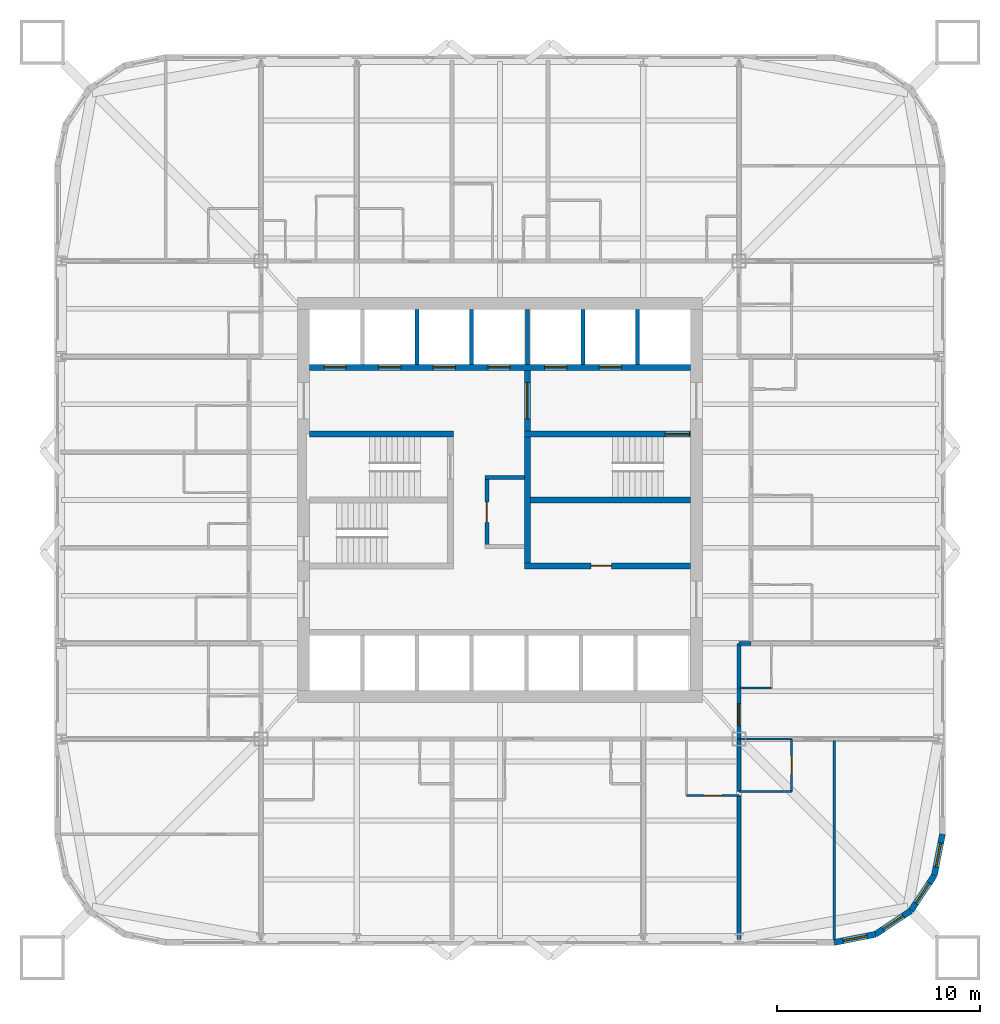
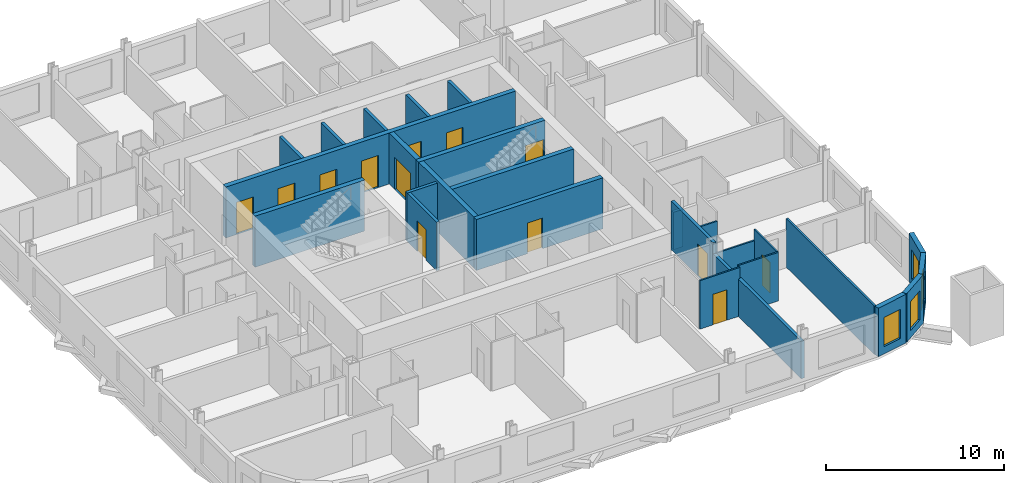
# One storey, part 5 of 10: 27 walls, 13 doors, 4 windows, 17 openings.
"""IFC4 building model written with IfcOpenShell, lengths in metres."""

from ifc_helpers import new_model, si_unit, direction, frame, frame_2d, origin, place, context, subcontext, project, spatial, rectangle, extrude, material, layer, layer_set, type_object, element, fill, save


model = new_model("IFC4")

# Units and contexts
model_context = context("Model", 3, precision=1e-05, world=origin(), true_north=direction((0.0, 1.0)))
body_context = subcontext(model_context, "Body", "Model", "MODEL_VIEW")
ifc_project = project(units=[si_unit("LENGTHUNIT", "METRE"), si_unit("AREAUNIT", "SQUARE_METRE"), si_unit("VOLUMEUNIT", "CUBIC_METRE"), si_unit("PLANEANGLEUNIT", "RADIAN"), si_unit("MASSUNIT", "GRAM", prefix="KILO")], contexts=[model_context])

# Site, building, storey
site_placement = place(None, origin())
site = spatial("IfcSite", under=ifc_project, at=site_placement, CompositionType="ELEMENT")
building_placement = place(site_placement, origin())
building = spatial("IfcBuilding", under=site, at=building_placement, Name="Turquesa Mirador Hotel Tower", CompositionType="ELEMENT")
storey_placement = place(building_placement, frame((0.0, 0.0, 53.0)))
storey = spatial("IfcBuildingStorey", under=building, at=storey_placement, Name="L13", CompositionType="ELEMENT", Elevation=53.0)

# Walls
ifc_material_1 = material(Name="Gypsum board on steel studs", Category="steel")
ifc_layer_1 = layer(ifc_material_1, 0.10009765625)
ifc_layer_set_1 = layer_set([ifc_layer_1], Name="BATHROOM WALL 100")
wall_type_1 = type_object("IfcWallType", Name="BATHROOM WALL 100", PredefinedType="PARTITIONING", material=ifc_layer_set_1)
wall_1_placement = place(storey_placement, frame((66.800048828125, 33.199951171875, 0.0), z_axis=(0.0, 0.0, 1.0), x_axis=(1.0, 0.0, 0.0)))
element("IfcWall", 1, at=wall_1_placement, inside=storey, type_object=wall_type_1, Name="Partition L13 002", PredefinedType="PARTITIONING", context=body_context, shape_type="SweptSolid", body=[
    extrude(rectangle(XDim=2.599853515625, YDim=0.10009765625, at=frame_2d((1.2998046875, 0.0))), origin(), (0.0, 0.0, 1.0), 2.572998046875),
])
wall_2_placement = place(storey_placement, frame((66.800048828125, 30.60009765625, 0.0), z_axis=(0.0, 0.0, 1.0), x_axis=(1.0, 0.0, 0.0)))
element("IfcWall", 2, at=wall_2_placement, inside=storey, type_object=wall_type_1, Name="Partition L13 008", PredefinedType="PARTITIONING", context=body_context, shape_type="SweptSolid", body=[
    extrude(rectangle(XDim=2.599853515625, YDim=0.10009765625, at=frame_2d((1.2998046875, 0.0))), origin(), (0.0, 0.0, 1.0), 3.330078125),
])

# Wall, opening, door
wall_3_placement = place(storey_placement, frame((64.199951171875, 30.39990234375, 0.0), z_axis=(0.0, 0.0, 1.0), x_axis=(1.0, 0.0, 0.0)))
wall_3 = element("IfcWall", 3, at=wall_3_placement, inside=storey, type_object=wall_type_1, Name="Partition L13 009", PredefinedType="PARTITIONING", context=body_context, shape_type="SweptSolid", body=[
    extrude(rectangle(XDim=2.60009765625, YDim=0.10009765625, at=frame_2d((1.300048828125, 0.0))), origin(), (0.0, 0.0, 1.0), 3.330078125),
])
opening_1_placement = place(wall_3_placement, frame((0.85009765625, 0.0, 0.0)))
opening_1 = element("IfcOpeningElement", 4, at=opening_1_placement, cuts=wall_3, Name="Opening D02", PredefinedType="OPENING", context=body_context, shape_type="SweptSolid", body=[
    extrude(rectangle(XDim=0.89990234375, YDim=2.10009765625, at=frame_2d((0.449951171875, 1.050048828125))), frame((0.0, 0.06005859375, 0.0), z_axis=(0.0, -1.0, 0.0), x_axis=(1.0, 0.0, 0.0)), (0.0, 0.0, 1.0), 0.1201171875),
])
ifc_material_2 = material(Name="Timber veneered door", Category="wood")
door_type_1 = type_object("IfcDoorType", Name="DOOR 900X2100 EN-SUITE", OperationType="SINGLE_SWING_RIGHT", PredefinedType="DOOR", material=ifc_material_2)
door_1_placement = place(opening_1_placement, origin())
door_1 = element("IfcDoor", 5, at=door_1_placement, inside=storey, type_object=door_type_1, Name="Door 1307B", OperationType="SINGLE_SWING_RIGHT", OverallHeight=2.10009765625, OverallWidth=0.89990234375, PredefinedType="DOOR", context=body_context, shape_type="SweptSolid", body=[
    extrude(rectangle(XDim=0.89990234375, YDim=2.10009765625, at=frame_2d((0.449951171875, 1.050048828125))), frame((0.0, 0.02490234375, 0.0), z_axis=(0.0, -1.0, 0.0), x_axis=(1.0, 0.0, 0.0)), (0.0, 0.0, 1.0), 0.050048828125),
])
fill(opening_1, door_1)

# Wall
wall_4_placement = place(storey_placement, frame((66.800048828125, 35.719970703125, 0.0), z_axis=(0.0, 0.0, 1.0), x_axis=(1.0, 0.0, 0.0)))
element("IfcWall", 6, at=wall_4_placement, inside=storey, type_object=wall_type_1, Name="Partition L13 021", PredefinedType="PARTITIONING", context=body_context, shape_type="SweptSolid", body=[
    extrude(rectangle(XDim=1.599853515625, YDim=0.10009765625, at=frame_2d((0.7998046875, 0.0))), origin(), (0.0, 0.0, 1.0), 2.722900390625),
])

# Wall, opening, door
wall_5_placement = place(storey_placement, frame((69.39990234375, 30.60009765625, 0.0), z_axis=(0.0, 0.0, 1.0), x_axis=(0.0, 1.0, 0.0)))
wall_5 = element("IfcWall", 7, at=wall_5_placement, inside=storey, type_object=wall_type_1, Name="Partition L13 081", PredefinedType="PARTITIONING", context=body_context, shape_type="SweptSolid", body=[
    extrude(rectangle(XDim=2.599853515625, YDim=0.10009765625, at=frame_2d((1.2998046875, 0.0))), origin(), (0.0, 0.0, 1.0), 3.330078125),
])
opening_2_placement = place(wall_5_placement, frame((0.85009765625, 0.0, 0.0)))
opening_2 = element("IfcOpeningElement", 8, at=opening_2_placement, cuts=wall_5, Name="Opening D02", PredefinedType="OPENING", context=body_context, shape_type="SweptSolid", body=[
    extrude(rectangle(XDim=0.89990234375, YDim=2.10009765625, at=frame_2d((0.449951171875, 1.050048828125))), frame((0.0, 0.06005859375, 0.0), z_axis=(0.0, -1.0, 0.0), x_axis=(1.0, 0.0, 0.0)), (0.0, 0.0, 1.0), 0.1201171875),
])
door_2_placement = place(opening_2_placement, origin())
door_2 = element("IfcDoor", 9, at=door_2_placement, inside=storey, type_object=door_type_1, Name="Door 1316B", OperationType="SINGLE_SWING_RIGHT", OverallHeight=2.10009765625, OverallWidth=0.89990234375, PredefinedType="DOOR", context=body_context, shape_type="SweptSolid", body=[
    extrude(rectangle(XDim=0.89990234375, YDim=2.10009765625, at=frame_2d((0.449951171875, 1.050048828125))), frame((0.0, 0.02490234375, 0.0), z_axis=(0.0, -1.0, 0.0), x_axis=(1.0, 0.0, 0.0)), (0.0, 0.0, 1.0), 0.050048828125),
])
fill(opening_2, door_2)

# Wall, openings, doors
ifc_material_3 = material(Name="Concrete C50/60", Category="concrete")
ifc_layer_2 = layer(ifc_material_3, 0.300048828125)
ifc_layer_set_2 = layer_set([ifc_layer_2], Name="CORE INNER WALL 300")
wall_type_2 = type_object("IfcWallType", Name="CORE INNER WALL 300", PredefinedType="SHEAR", material=ifc_layer_set_2)
wall_6_placement = place(storey_placement, frame((45.60009765625, 51.550048828125, 0.0), z_axis=(0.0, 0.0, 1.0), x_axis=(1.0, 0.0, 0.0)))
wall_6 = element("IfcWall", 10, at=wall_6_placement, inside=storey, type_object=wall_type_2, Name="Core wall NL", PredefinedType="SHEAR", context=body_context, shape_type="SweptSolid", body=[
    extrude(rectangle(XDim=18.7998046875, YDim=0.300048828125, at=frame_2d((9.39990234375, 0.0))), origin(), (0.0, 0.0, 1.0), 3.5),
])
opening_3_placement = place(wall_6_placement, frame((0.699951171875, 0.0, 0.0)))
opening_3 = element("IfcOpeningElement", 11, at=opening_3_placement, cuts=wall_6, Name="Opening LD", PredefinedType="OPENING", context=body_context, shape_type="SweptSolid", body=[
    extrude(rectangle(XDim=1.10009765625, YDim=2.199951171875, at=frame_2d((0.550048828125, 1.10009765625))), frame((0.0, 0.159912109375, 0.0), z_axis=(0.0, -1.0, 0.0), x_axis=(1.0, 0.0, 0.0)), (0.0, 0.0, 1.0), 0.320068359375),
])
opening_4_placement = place(wall_6_placement, frame((3.39990234375, 0.0, 0.0)))
opening_4 = element("IfcOpeningElement", 12, at=opening_4_placement, cuts=wall_6, Name="Opening LD", PredefinedType="OPENING", context=body_context, shape_type="SweptSolid", body=[
    extrude(rectangle(XDim=1.10009765625, YDim=2.199951171875, at=frame_2d((0.550048828125, 1.10009765625))), frame((0.0, 0.159912109375, 0.0), z_axis=(0.0, -1.0, 0.0), x_axis=(1.0, 0.0, 0.0)), (0.0, 0.0, 1.0), 0.320068359375),
])
opening_5_placement = place(wall_6_placement, frame((6.10009765625, 0.0, 0.0)))
opening_5 = element("IfcOpeningElement", 13, at=opening_5_placement, cuts=wall_6, Name="Opening LD", PredefinedType="OPENING", context=body_context, shape_type="SweptSolid", body=[
    extrude(rectangle(XDim=1.10009765625, YDim=2.199951171875, at=frame_2d((0.550048828125, 1.10009765625))), frame((0.0, 0.159912109375, 0.0), z_axis=(0.0, -1.0, 0.0), x_axis=(1.0, 0.0, 0.0)), (0.0, 0.0, 1.0), 0.320068359375),
])
opening_6_placement = place(wall_6_placement, frame((8.800048828125, 0.0, 0.0)))
opening_6 = element("IfcOpeningElement", 14, at=opening_6_placement, cuts=wall_6, Name="Opening LD", PredefinedType="OPENING", context=body_context, shape_type="SweptSolid", body=[
    extrude(rectangle(XDim=1.10009765625, YDim=2.199951171875, at=frame_2d((0.550048828125, 1.10009765625))), frame((0.0, 0.159912109375, 0.0), z_axis=(0.0, -1.0, 0.0), x_axis=(1.0, 0.0, 0.0)), (0.0, 0.0, 1.0), 0.320068359375),
])
opening_7_placement = place(wall_6_placement, frame((11.60009765625, 0.0, 0.0)))
opening_7 = element("IfcOpeningElement", 15, at=opening_7_placement, cuts=wall_6, Name="Opening LD", PredefinedType="OPENING", context=body_context, shape_type="SweptSolid", body=[
    extrude(rectangle(XDim=1.10009765625, YDim=2.199951171875, at=frame_2d((0.550048828125, 1.10009765625))), frame((0.0, 0.159912109375, 0.0), z_axis=(0.0, -1.0, 0.0), x_axis=(1.0, 0.0, 0.0)), (0.0, 0.0, 1.0), 0.320068359375),
])
opening_8_placement = place(wall_6_placement, frame((14.300048828125, 0.0, 0.0)))
opening_8 = element("IfcOpeningElement", 16, at=opening_8_placement, cuts=wall_6, Name="Opening LD", PredefinedType="OPENING", context=body_context, shape_type="SweptSolid", body=[
    extrude(rectangle(XDim=1.10009765625, YDim=2.199951171875, at=frame_2d((0.550048828125, 1.10009765625))), frame((0.0, 0.159912109375, 0.0), z_axis=(0.0, -1.0, 0.0), x_axis=(1.0, 0.0, 0.0)), (0.0, 0.0, 1.0), 0.320068359375),
])
ifc_material_4 = material(Name="Stainless steel lift landing door", Category="steel")
door_type_2 = type_object("IfcDoorType", Name="LIFT LANDING DOOR 1100X2200", OperationType="SLIDING_TO_LEFT", PredefinedType="DOOR", material=ifc_material_4)
door_3_placement = place(opening_3_placement, origin())
door_3 = element("IfcDoor", 17, at=door_3_placement, inside=storey, type_object=door_type_2, Name="Lift A1 landing door", OperationType="SLIDING_TO_LEFT", OverallHeight=2.199951171875, OverallWidth=1.10009765625, PredefinedType="DOOR", context=body_context, shape_type="SweptSolid", body=[
    extrude(rectangle(XDim=1.10009765625, YDim=2.199951171875, at=frame_2d((0.550048828125, 1.10009765625))), frame((0.0, 0.02490234375, 0.0), z_axis=(0.0, -1.0, 0.0), x_axis=(1.0, 0.0, 0.0)), (0.0, 0.0, 1.0), 0.050048828125),
])
fill(opening_3, door_3)
door_4_placement = place(opening_4_placement, origin())
door_4 = element("IfcDoor", 18, at=door_4_placement, inside=storey, type_object=door_type_2, Name="Lift A2 landing door", OperationType="SLIDING_TO_LEFT", OverallHeight=2.199951171875, OverallWidth=1.10009765625, PredefinedType="DOOR", context=body_context, shape_type="SweptSolid", body=[
    extrude(rectangle(XDim=1.10009765625, YDim=2.199951171875, at=frame_2d((0.550048828125, 1.10009765625))), frame((0.0, 0.02490234375, 0.0), z_axis=(0.0, -1.0, 0.0), x_axis=(1.0, 0.0, 0.0)), (0.0, 0.0, 1.0), 0.050048828125),
])
fill(opening_4, door_4)
door_5_placement = place(opening_5_placement, origin())
door_5 = element("IfcDoor", 19, at=door_5_placement, inside=storey, type_object=door_type_2, Name="Lift A3 landing door", OperationType="SLIDING_TO_LEFT", OverallHeight=2.199951171875, OverallWidth=1.10009765625, PredefinedType="DOOR", context=body_context, shape_type="SweptSolid", body=[
    extrude(rectangle(XDim=1.10009765625, YDim=2.199951171875, at=frame_2d((0.550048828125, 1.10009765625))), frame((0.0, 0.02490234375, 0.0), z_axis=(0.0, -1.0, 0.0), x_axis=(1.0, 0.0, 0.0)), (0.0, 0.0, 1.0), 0.050048828125),
])
fill(opening_5, door_5)
door_6_placement = place(opening_6_placement, origin())
door_6 = element("IfcDoor", 20, at=door_6_placement, inside=storey, type_object=door_type_2, Name="Lift A4 landing door", OperationType="SLIDING_TO_LEFT", OverallHeight=2.199951171875, OverallWidth=1.10009765625, PredefinedType="DOOR", context=body_context, shape_type="SweptSolid", body=[
    extrude(rectangle(XDim=1.10009765625, YDim=2.199951171875, at=frame_2d((0.550048828125, 1.10009765625))), frame((0.0, 0.02490234375, 0.0), z_axis=(0.0, -1.0, 0.0), x_axis=(1.0, 0.0, 0.0)), (0.0, 0.0, 1.0), 0.050048828125),
])
fill(opening_6, door_6)
door_7_placement = place(opening_7_placement, origin())
door_7 = element("IfcDoor", 21, at=door_7_placement, inside=storey, type_object=door_type_2, Name="Lift S1 landing door", OperationType="SLIDING_TO_LEFT", OverallHeight=2.199951171875, OverallWidth=1.10009765625, PredefinedType="DOOR", context=body_context, shape_type="SweptSolid", body=[
    extrude(rectangle(XDim=1.10009765625, YDim=2.199951171875, at=frame_2d((0.550048828125, 1.10009765625))), frame((0.0, 0.02490234375, 0.0), z_axis=(0.0, -1.0, 0.0), x_axis=(1.0, 0.0, 0.0)), (0.0, 0.0, 1.0), 0.050048828125),
])
fill(opening_7, door_7)
door_8_placement = place(opening_8_placement, origin())
door_8 = element("IfcDoor", 22, at=door_8_placement, inside=storey, type_object=door_type_2, Name="Lift S2 landing door", OperationType="SLIDING_TO_LEFT", OverallHeight=2.199951171875, OverallWidth=1.10009765625, PredefinedType="DOOR", context=body_context, shape_type="SweptSolid", body=[
    extrude(rectangle(XDim=1.10009765625, YDim=2.199951171875, at=frame_2d((0.550048828125, 1.10009765625))), frame((0.0, 0.02490234375, 0.0), z_axis=(0.0, -1.0, 0.0), x_axis=(1.0, 0.0, 0.0)), (0.0, 0.0, 1.0), 0.050048828125),
])
fill(opening_8, door_8)

# Wall
wall_7_placement = place(storey_placement, frame((45.60009765625, 48.25, 0.0), z_axis=(0.0, 0.0, 1.0), x_axis=(1.0, 0.0, 0.0)))
element("IfcWall", 23, at=wall_7_placement, inside=storey, type_object=wall_type_2, Name="Core wall MN-W", PredefinedType="SHEAR", context=body_context, shape_type="SweptSolid", body=[
    extrude(rectangle(XDim=7.099853515625, YDim=0.300048828125, at=frame_2d((3.5498046875, 0.0))), origin(), (0.0, 0.0, 1.0), 3.5),
])

# Wall, opening, door
wall_8_placement = place(storey_placement, frame((56.199951171875, 48.25, 0.0), z_axis=(0.0, 0.0, 1.0), x_axis=(1.0, 0.0, 0.0)))
wall_8 = element("IfcWall", 24, at=wall_8_placement, inside=storey, type_object=wall_type_2, Name="Core wall MN-E", PredefinedType="SHEAR", context=body_context, shape_type="SweptSolid", body=[
    extrude(rectangle(XDim=8.199951171875, YDim=0.300048828125, at=frame_2d((4.10009765625, 0.0))), origin(), (0.0, 0.0, 1.0), 3.5),
])
opening_9_placement = place(wall_8_placement, frame((6.949951171875, 0.0, 0.0)))
opening_9 = element("IfcOpeningElement", 25, at=opening_9_placement, cuts=wall_8, Name="Opening D03", PredefinedType="OPENING", context=body_context, shape_type="SweptSolid", body=[
    extrude(rectangle(XDim=1.199951171875, YDim=2.199951171875, at=frame_2d((0.60009765625, 1.10009765625))), frame((0.0, 0.159912109375, 0.0), z_axis=(0.0, -1.0, 0.0), x_axis=(1.0, 0.0, 0.0)), (0.0, 0.0, 1.0), 0.320068359375),
])
ifc_material_5 = material(Name="Steel fire door", Category="steel")
door_type_3 = type_object("IfcDoorType", Name="DOOR 1200X2200 STAIR", OperationType="SINGLE_SWING_LEFT", PredefinedType="DOOR", material=ifc_material_5)
door_9_placement = place(opening_9_placement, origin())
door_9 = element("IfcDoor", 26, at=door_9_placement, inside=storey, type_object=door_type_3, Name="Stair ST3 door", OperationType="SINGLE_SWING_LEFT", OverallHeight=2.199951171875, OverallWidth=1.199951171875, PredefinedType="DOOR", context=body_context, shape_type="SweptSolid", body=[
    extrude(rectangle(XDim=1.199951171875, YDim=2.199951171875, at=frame_2d((0.60009765625, 1.10009765625))), frame((0.0, 0.02490234375, 0.0), z_axis=(0.0, -1.0, 0.0), x_axis=(1.0, 0.0, 0.0)), (0.0, 0.0, 1.0), 0.050048828125),
])
fill(opening_9, door_9)

wall_9_placement = place(storey_placement, frame((56.199951171875, 41.75, 0.0), z_axis=(0.0, 0.0, 1.0), x_axis=(1.0, 0.0, 0.0)))
wall_9 = element("IfcWall", 27, at=wall_9_placement, inside=storey, type_object=wall_type_2, Name="Core wall MS-E", PredefinedType="SHEAR", context=body_context, shape_type="SweptSolid", body=[
    extrude(rectangle(XDim=8.199951171875, YDim=0.300048828125, at=frame_2d((4.10009765625, 0.0))), origin(), (0.0, 0.0, 1.0), 3.5),
])
opening_10_placement = place(wall_9_placement, frame((3.300048828125, 0.0, 0.0)))
opening_10 = element("IfcOpeningElement", 28, at=opening_10_placement, cuts=wall_9, Name="Opening D05", PredefinedType="OPENING", context=body_context, shape_type="SweptSolid", body=[
    extrude(rectangle(XDim=1.0, YDim=2.10009765625, at=frame_2d((0.5, 1.050048828125))), frame((0.0, 0.159912109375, 0.0), z_axis=(0.0, -1.0, 0.0), x_axis=(1.0, 0.0, 0.0)), (0.0, 0.0, 1.0), 0.320068359375),
])
ifc_material_6 = material(Name="Steel fire door", Category="steel")
door_type_4 = type_object("IfcDoorType", Name="DOOR 1000X2100 SERVICE", OperationType="SINGLE_SWING_LEFT", PredefinedType="DOOR", material=ifc_material_6)
door_10_placement = place(opening_10_placement, origin())
door_10 = element("IfcDoor", 29, at=door_10_placement, inside=storey, type_object=door_type_4, Name="Housekeeping room door", OperationType="SINGLE_SWING_LEFT", OverallHeight=2.10009765625, OverallWidth=1.0, PredefinedType="DOOR", context=body_context, shape_type="SweptSolid", body=[
    extrude(rectangle(XDim=1.0, YDim=2.10009765625, at=frame_2d((0.5, 1.050048828125))), frame((0.0, 0.02490234375, 0.0), z_axis=(0.0, -1.0, 0.0), x_axis=(1.0, 0.0, 0.0)), (0.0, 0.0, 1.0), 0.050048828125),
])
fill(opening_10, door_10)

wall_10_placement = place(storey_placement, frame((56.35009765625, 41.89990234375, 0.0), z_axis=(0.0, 0.0, 1.0), x_axis=(0.0, 1.0, 0.0)))
wall_10 = element("IfcWall", 30, at=wall_10_placement, inside=storey, type_object=wall_type_2, Name="Core wall PE", PredefinedType="SHEAR", context=body_context, shape_type="SweptSolid", body=[
    extrude(rectangle(XDim=9.5, YDim=0.300048828125, at=frame_2d((4.75, 0.0))), origin(), (0.0, 0.0, 1.0), 3.5),
])
opening_11_placement = place(wall_10_placement, frame((7.10009765625, 0.0, 0.0)))
opening_11 = element("IfcOpeningElement", 31, at=opening_11_placement, cuts=wall_10, Name="Opening D04", PredefinedType="OPENING", context=body_context, shape_type="SweptSolid", body=[
    extrude(rectangle(XDim=1.800048828125, YDim=2.199951171875, at=frame_2d((0.89990234375, 1.10009765625))), frame((0.0, 0.159912109375, 0.0), z_axis=(0.0, -1.0, 0.0), x_axis=(1.0, 0.0, 0.0)), (0.0, 0.0, 1.0), 0.320068359375),
])
ifc_material_7 = material(Name="Steel fire door pair", Category="steel")
door_type_5 = type_object("IfcDoorType", Name="DOOR 1800X2200 PAIR", OperationType="DOUBLE_DOOR_SINGLE_SWING", PredefinedType="DOOR", material=ifc_material_7)
door_11_placement = place(opening_11_placement, origin())
door_11 = element("IfcDoor", 32, at=door_11_placement, inside=storey, type_object=door_type_5, Name="Firefighting lobby inner door", OperationType="DOUBLE_DOOR_SINGLE_SWING", OverallHeight=2.199951171875, OverallWidth=1.800048828125, PredefinedType="DOOR", context=body_context, shape_type="SweptSolid", body=[
    extrude(rectangle(XDim=1.800048828125, YDim=2.199951171875, at=frame_2d((0.89990234375, 1.10009765625))), frame((0.0, 0.02490234375, 0.0), z_axis=(0.0, -1.0, 0.0), x_axis=(1.0, 0.0, 0.0)), (0.0, 0.0, 1.0), 0.050048828125),
])
fill(opening_11, door_11)

# Walls
wall_11_placement = place(storey_placement, frame((56.5, 45.0, 0.0), z_axis=(0.0, 0.0, 1.0), x_axis=(1.0, 0.0, 0.0)))
element("IfcWall", 33, at=wall_11_placement, inside=storey, type_object=wall_type_2, Name="Core wall M0-E", PredefinedType="SHEAR", context=body_context, shape_type="SweptSolid", body=[
    extrude(rectangle(XDim=7.89990234375, YDim=0.300048828125, at=frame_2d((3.949951171875, 0.0))), origin(), (0.0, 0.0, 1.0), 3.5),
])
ifc_material_8 = material(Name="Fire-rated gypsum board on steel studs", Category="steel")
ifc_layer_3 = layer(ifc_material_8, 0.199951171875)
ifc_layer_set_3 = layer_set([ifc_layer_3], Name="CORRIDOR WALL 200")
wall_type_3 = type_object("IfcWallType", Name="CORRIDOR WALL 200", PredefinedType="PARTITIONING", material=ifc_layer_set_3)
wall_12_placement = place(storey_placement, frame((66.800048828125, 37.919921875, 0.0), z_axis=(0.0, 0.0, 1.0), x_axis=(1.0, 0.0, 0.0)))
element("IfcWall", 34, at=wall_12_placement, inside=storey, type_object=wall_type_3, Name="Partition L13 018", PredefinedType="PARTITIONING", context=body_context, shape_type="SweptSolid", body=[
    extrude(rectangle(XDim=0.599853515625, YDim=0.199951171875, at=frame_2d((0.2998046875, 0.0))), origin(), (0.0, 0.0, 1.0), 2.572998046875),
])

# Wall, opening, door
wall_13_placement = place(storey_placement, frame((66.800048828125, 33.199951171875, 0.0), z_axis=(0.0, 0.0, 1.0), x_axis=(0.0, 1.0, 0.0)))
wall_13 = element("IfcWall", 35, at=wall_13_placement, inside=storey, type_object=wall_type_3, Name="Partition L13 074", PredefinedType="PARTITIONING", context=body_context, shape_type="SweptSolid", body=[
    extrude(rectangle(XDim=4.719970703125, YDim=0.199951171875, at=frame_2d((2.35986328125, 0.0))), origin(), (0.0, 0.0, 1.0), 3.330078125),
])
opening_12_placement = place(wall_13_placement, frame((0.64990234375, 0.0, 0.0)))
opening_12 = element("IfcOpeningElement", 36, at=opening_12_placement, cuts=wall_13, Name="Opening D15", PredefinedType="OPENING", context=body_context, shape_type="SweptSolid", body=[
    extrude(rectangle(XDim=1.10009765625, YDim=2.199951171875, at=frame_2d((0.550048828125, 1.10009765625))), frame((0.0, 0.10986328125, 0.0), z_axis=(0.0, -1.0, 0.0), x_axis=(1.0, 0.0, 0.0)), (0.0, 0.0, 1.0), 0.219970703125),
])
ifc_material_9 = material(Name="Timber veneered fire door", Category="wood")
door_type_6 = type_object("IfcDoorType", Name="DOOR 1100X2200 SUITE ENTRY", OperationType="SINGLE_SWING_LEFT", PredefinedType="DOOR", material=ifc_material_9)
door_12_placement = place(opening_12_placement, origin())
door_12 = element("IfcDoor", 37, at=door_12_placement, inside=storey, type_object=door_type_6, Name="Door 1316", OperationType="SINGLE_SWING_LEFT", OverallHeight=2.199951171875, OverallWidth=1.10009765625, PredefinedType="DOOR", context=body_context, shape_type="SweptSolid", body=[
    extrude(rectangle(XDim=1.10009765625, YDim=2.199951171875, at=frame_2d((0.550048828125, 1.10009765625))), frame((0.0, 0.02490234375, 0.0), z_axis=(0.0, -1.0, 0.0), x_axis=(1.0, 0.0, 0.0)), (0.0, 0.0, 1.0), 0.050048828125),
])
fill(opening_12, door_12)

# Wall, opening, window
ifc_material_10 = material(Name="Limestone cladding on concrete block", Category="masonry")
ifc_layer_4 = layer(ifc_material_10, 0.300048828125)
ifc_layer_set_4 = layer_set([ifc_layer_4], Name="FACADE WALL 300 STONE SCREEN")
wall_type_4 = type_object("IfcWallType", Name="FACADE WALL 300 STONE SCREEN", PredefinedType="SOLIDWALL", material=ifc_layer_set_4)
wall_14_placement = place(storey_placement, frame((71.5, 23.14990234375, 0.0), z_axis=(0.0, 0.0, 1.0), x_axis=(0.980787050784, 0.195081421501, 0.0)))
wall_14 = element("IfcWall", 38, at=wall_14_placement, inside=storey, type_object=wall_type_4, Name="Facade wall L13 00", PredefinedType="SOLIDWALL", context=body_context, shape_type="SweptSolid", body=[
    extrude(rectangle(XDim=2.08740234375, YDim=0.300048828125, at=frame_2d((1.043701171875, 0.0))), origin(), (0.0, 0.0, 1.0), 3.330078125),
])
opening_13_placement = place(wall_14_placement, frame((0.443603515625, 0.0, 0.5)))
opening_13 = element("IfcOpeningElement", 39, at=opening_13_placement, cuts=wall_14, Name="Opening WN4", PredefinedType="OPENING", context=body_context, shape_type="SweptSolid", body=[
    extrude(rectangle(XDim=1.199951171875, YDim=2.0, at=frame_2d((0.60009765625, 1.0))), frame((0.0, 0.159912109375, 0.0), z_axis=(0.0, -1.0, 0.0), x_axis=(1.0, 0.0, 0.0)), (0.0, 0.0, 1.0), 0.320068359375),
])
ifc_material_11 = material(Name="Ceramic-fritted laminated glass", Category="glass")
window_type = type_object("IfcWindowType", Name="FRITTED CORNER WINDOW 1200X2000", PartitioningType="DOUBLE_PANEL_HORIZONTAL", PredefinedType="WINDOW", material=ifc_material_11)
window_1_placement = place(opening_13_placement, origin())
window_1 = element("IfcWindow", 40, at=window_1_placement, inside=storey, type_object=window_type, Name="Window L13", OverallHeight=2.0, OverallWidth=1.199951171875, PartitioningType="SINGLE_PANEL", PredefinedType="WINDOW", context=body_context, shape_type="SweptSolid", body=[
    extrude(rectangle(XDim=1.199951171875, YDim=2.0, at=frame_2d((0.60009765625, 1.0))), frame((0.0, 0.030029296875, 0.0), z_axis=(0.0, -1.0, 0.0), x_axis=(1.0, 0.0, 0.0)), (0.0, 0.0, 1.0), 0.06005859375),
])
fill(opening_13, window_1)

wall_15_placement = place(storey_placement, frame((73.54736328125, 23.55712890625, 0.0), z_axis=(0.0, 0.0, 1.0), x_axis=(0.831420010345, 0.555644460423, 0.0)))
wall_15 = element("IfcWall", 41, at=wall_15_placement, inside=storey, type_object=wall_type_4, Name="Facade wall L13 01", PredefinedType="SOLIDWALL", context=body_context, shape_type="SweptSolid", body=[
    extrude(rectangle(XDim=2.08740234375, YDim=0.300048828125, at=frame_2d((1.043701171875, 0.0))), origin(), (0.0, 0.0, 1.0), 3.330078125),
])
opening_14_placement = place(wall_15_placement, frame((0.443603515625, 0.0, 0.5)))
opening_14 = element("IfcOpeningElement", 42, at=opening_14_placement, cuts=wall_15, Name="Opening WN4", PredefinedType="OPENING", context=body_context, shape_type="SweptSolid", body=[
    extrude(rectangle(XDim=1.199951171875, YDim=2.0, at=frame_2d((0.60009765625, 1.0))), frame((0.0, 0.159912109375, 0.0), z_axis=(0.0, -1.0, 0.0), x_axis=(1.0, 0.0, 0.0)), (0.0, 0.0, 1.0), 0.320068359375),
])
window_2_placement = place(opening_14_placement, origin())
window_2 = element("IfcWindow", 43, at=window_2_placement, inside=storey, type_object=window_type, Name="Window L13", OverallHeight=2.0, OverallWidth=1.199951171875, PartitioningType="SINGLE_PANEL", PredefinedType="WINDOW", context=body_context, shape_type="SweptSolid", body=[
    extrude(rectangle(XDim=1.199951171875, YDim=2.0, at=frame_2d((0.60009765625, 1.0))), frame((0.0, 0.030029296875, 0.0), z_axis=(0.0, -1.0, 0.0), x_axis=(1.0, 0.0, 0.0)), (0.0, 0.0, 1.0), 0.06005859375),
])
fill(opening_14, window_2)

wall_16_placement = place(storey_placement, frame((75.282958984375, 24.717041015625, 0.0), z_axis=(0.0, 0.0, 1.0), x_axis=(0.555644460423, 0.831420010345, 0.0)))
wall_16 = element("IfcWall", 44, at=wall_16_placement, inside=storey, type_object=wall_type_4, Name="Facade wall L13 02", PredefinedType="SOLIDWALL", context=body_context, shape_type="SweptSolid", body=[
    extrude(rectangle(XDim=2.08740234375, YDim=0.300048828125, at=frame_2d((1.043701171875, 0.0))), origin(), (0.0, 0.0, 1.0), 3.330078125),
])
opening_15_placement = place(wall_16_placement, frame((0.443603515625, 0.0, 0.5)))
opening_15 = element("IfcOpeningElement", 45, at=opening_15_placement, cuts=wall_16, Name="Opening WN4", PredefinedType="OPENING", context=body_context, shape_type="SweptSolid", body=[
    extrude(rectangle(XDim=1.199951171875, YDim=2.0, at=frame_2d((0.60009765625, 1.0))), frame((0.0, 0.159912109375, 0.0), z_axis=(0.0, -1.0, 0.0), x_axis=(1.0, 0.0, 0.0)), (0.0, 0.0, 1.0), 0.320068359375),
])
window_3_placement = place(opening_15_placement, origin())
window_3 = element("IfcWindow", 46, at=window_3_placement, inside=storey, type_object=window_type, Name="Window L13", OverallHeight=2.0, OverallWidth=1.199951171875, PartitioningType="SINGLE_PANEL", PredefinedType="WINDOW", context=body_context, shape_type="SweptSolid", body=[
    extrude(rectangle(XDim=1.199951171875, YDim=2.0, at=frame_2d((0.60009765625, 1.0))), frame((0.0, 0.030029296875, 0.0), z_axis=(0.0, -1.0, 0.0), x_axis=(1.0, 0.0, 0.0)), (0.0, 0.0, 1.0), 0.06005859375),
])
fill(opening_15, window_3)

wall_17_placement = place(storey_placement, frame((76.44287109375, 26.45263671875, 0.0), z_axis=(0.0, 0.0, 1.0), x_axis=(0.195081421501, 0.980787050784, 0.0)))
wall_17 = element("IfcWall", 47, at=wall_17_placement, inside=storey, type_object=wall_type_4, Name="Facade wall L13 03", PredefinedType="SOLIDWALL", context=body_context, shape_type="SweptSolid", body=[
    extrude(rectangle(XDim=2.08740234375, YDim=0.300048828125, at=frame_2d((1.043701171875, 0.0))), origin(), (0.0, 0.0, 1.0), 3.330078125),
])
opening_16_placement = place(wall_17_placement, frame((0.443603515625, 0.0, 0.5)))
opening_16 = element("IfcOpeningElement", 48, at=opening_16_placement, cuts=wall_17, Name="Opening WN4", PredefinedType="OPENING", context=body_context, shape_type="SweptSolid", body=[
    extrude(rectangle(XDim=1.199951171875, YDim=2.0, at=frame_2d((0.60009765625, 1.0))), frame((0.0, 0.159912109375, 0.0), z_axis=(0.0, -1.0, 0.0), x_axis=(1.0, 0.0, 0.0)), (0.0, 0.0, 1.0), 0.320068359375),
])
window_4_placement = place(opening_16_placement, origin())
window_4 = element("IfcWindow", 49, at=window_4_placement, inside=storey, type_object=window_type, Name="Window L13", OverallHeight=2.0, OverallWidth=1.199951171875, PartitioningType="SINGLE_PANEL", PredefinedType="WINDOW", context=body_context, shape_type="SweptSolid", body=[
    extrude(rectangle(XDim=1.199951171875, YDim=2.0, at=frame_2d((0.60009765625, 1.0))), frame((0.0, 0.030029296875, 0.0), z_axis=(0.0, -1.0, 0.0), x_axis=(1.0, 0.0, 0.0)), (0.0, 0.0, 1.0), 0.06005859375),
])
fill(opening_16, window_4)

# Wall, opening, door
ifc_material_12 = material(Name="Fire-rated gypsum board on steel studs", Category="steel")
ifc_layer_5 = layer(ifc_material_12, 0.199951171875)
ifc_layer_set_5 = layer_set([ifc_layer_5], Name="FIRE PARTITION 200")
wall_type_5 = type_object("IfcWallType", Name="FIRE PARTITION 200", PredefinedType="PARTITIONING", material=ifc_layer_set_5)
wall_18_placement = place(storey_placement, frame((54.35009765625, 42.699951171875, 0.0), z_axis=(0.0, 0.0, 1.0), x_axis=(0.0, 1.0, 0.0)))
wall_18 = element("IfcWall", 50, at=wall_18_placement, inside=storey, type_object=wall_type_5, Name="Partition L13 GL W", PredefinedType="PARTITIONING", context=body_context, shape_type="SweptSolid", body=[
    extrude(rectangle(XDim=3.400146484375, YDim=0.199951171875, at=frame_2d((1.7001953125, 0.0))), origin(), (0.0, 0.0, 1.0), 3.330078125),
])
opening_17_placement = place(wall_18_placement, frame((1.199951171875, 0.0, 0.0)))
opening_17 = element("IfcOpeningElement", 51, at=opening_17_placement, cuts=wall_18, Name="Opening D05", PredefinedType="OPENING", context=body_context, shape_type="SweptSolid", body=[
    extrude(rectangle(XDim=1.0, YDim=2.10009765625, at=frame_2d((0.5, 1.050048828125))), frame((0.0, 0.10986328125, 0.0), z_axis=(0.0, -1.0, 0.0), x_axis=(1.0, 0.0, 0.0)), (0.0, 0.0, 1.0), 0.219970703125),
])
door_13_placement = place(opening_17_placement, origin())
door_13 = element("IfcDoor", 52, at=door_13_placement, inside=storey, type_object=door_type_4, Name="Guest laundry room door", OperationType="SINGLE_SWING_LEFT", OverallHeight=2.10009765625, OverallWidth=1.0, PredefinedType="DOOR", context=body_context, shape_type="SweptSolid", body=[
    extrude(rectangle(XDim=1.0, YDim=2.10009765625, at=frame_2d((0.5, 1.050048828125))), frame((0.0, 0.02490234375, 0.0), z_axis=(0.0, -1.0, 0.0), x_axis=(1.0, 0.0, 0.0)), (0.0, 0.0, 1.0), 0.050048828125),
])
fill(opening_17, door_13)

# Walls
wall_19_placement = place(storey_placement, frame((54.25, 46.10009765625, 0.0), z_axis=(0.0, 0.0, 1.0), x_axis=(1.0, 0.0, 0.0)))
element("IfcWall", 53, at=wall_19_placement, inside=storey, type_object=wall_type_5, Name="Partition L13 GL N", PredefinedType="PARTITIONING", context=body_context, shape_type="SweptSolid", body=[
    extrude(rectangle(XDim=1.949951171875, YDim=0.199951171875, at=frame_2d((0.97509765625, 0.0))), origin(), (0.0, 0.0, 1.0), 3.330078125),
])
ifc_material_13 = material(Name="Fire-rated gypsum shaft wall on steel studs", Category="steel")
ifc_layer_6 = layer(ifc_material_13, 0.199951171875)
ifc_layer_set_6 = layer_set([ifc_layer_6], Name="LIFT SHAFT DIVIDER 200")
wall_type_6 = type_object("IfcWallType", Name="LIFT SHAFT DIVIDER 200", PredefinedType="PARTITIONING", material=ifc_layer_set_6)
for number, where, z_axis, x_axis, name in (
    (54, (50.89990234375, 51.699951171875, 0.0), (0.0, 0.0, 1.0), (0.0, 1.0, 0.0), "Lift shaft divider"),
    (55, (53.60009765625, 51.699951171875, 0.0), (0.0, 0.0, 1.0), (0.0, 1.0, 0.0), "Lift shaft divider"),
    (56, (59.10009765625, 51.699951171875, 0.0), (0.0, 0.0, 1.0), (0.0, 1.0, 0.0), "Lift shaft divider"),
    (57, (61.800048828125, 51.699951171875, 0.0), (0.0, 0.0, 1.0), (0.0, 1.0, 0.0), "Lift shaft divider"),
    (58, (56.35009765625, 51.699951171875, 0.0), (0.0, 0.0, 1.0), (0.0, 1.0, 0.0), "Lift shaft divider"),
):
    element("IfcWall", number, at=place(storey_placement, frame(where, z_axis=z_axis, x_axis=x_axis)), inside=storey, type_object=wall_type_6, Name=name, PredefinedType="PARTITIONING", context=body_context, shape_type="SweptSolid", body=[
        extrude(rectangle(XDim=2.699951171875, YDim=0.199951171875, at=frame_2d((1.35009765625, 0.0))), origin(), (0.0, 0.0, 1.0), 3.330078125),
    ])
ifc_material_14 = material(Name="Fire-rated gypsum board on steel studs", Category="steel")
ifc_layer_7 = layer(ifc_material_14, 0.199951171875)
ifc_layer_set_7 = layer_set([ifc_layer_7], Name="PARTY WALL 200")
wall_type_7 = type_object("IfcWallType", Name="PARTY WALL 200", PredefinedType="PARTITIONING", material=ifc_layer_set_7)
wall_20_placement = place(storey_placement, frame((66.800048828125, 23.300048828125, 0.0), z_axis=(0.0, 0.0, 1.0), x_axis=(0.0, 1.0, 0.0)))
element("IfcWall", 59, at=wall_20_placement, inside=storey, type_object=wall_type_7, Name="Partition L13 076", PredefinedType="PARTITIONING", context=body_context, shape_type="SweptSolid", body=[
    extrude(rectangle(XDim=7.099853515625, YDim=0.199951171875, at=frame_2d((3.5498046875, 0.0))), origin(), (0.0, 0.0, 1.0), 2.572998046875),
])
wall_21_placement = place(storey_placement, frame((66.800048828125, 30.60009765625, 0.0), z_axis=(0.0, 0.0, 1.0), x_axis=(0.0, 1.0, 0.0)))
element("IfcWall", 60, at=wall_21_placement, inside=storey, type_object=wall_type_7, Name="Partition L13 077", PredefinedType="PARTITIONING", context=body_context, shape_type="SweptSolid", body=[
    extrude(rectangle(XDim=2.599853515625, YDim=0.199951171875, at=frame_2d((1.2998046875, 0.0))), origin(), (0.0, 0.0, 1.0), 2.572998046875),
])
ifc_material_15 = material(Name="Acoustic gypsum board on steel studs", Category="steel")
ifc_layer_8 = layer(ifc_material_15, 0.125)
ifc_layer_set_8 = layer_set([ifc_layer_8], Name="SUITE PARTITION 125")
wall_type_8 = type_object("IfcWallType", Name="SUITE PARTITION 125", PredefinedType="PARTITIONING", material=ifc_layer_set_8)
wall_22_placement = place(storey_placement, frame((71.5, 23.305908203125, 0.0), z_axis=(0.0, 0.0, 1.0), x_axis=(0.0, 1.0, 0.0)))
element("IfcWall", 61, at=wall_22_placement, inside=storey, type_object=wall_type_8, Name="Partition L13 087", PredefinedType="PARTITIONING", context=body_context, shape_type="SweptSolid", body=[
    extrude(rectangle(XDim=9.89404296875, YDim=0.125, at=frame_2d((4.947021484375, 0.0))), origin(), (0.0, 0.0, 1.0), 3.330078125),
])

save(model, "model.ifc")
